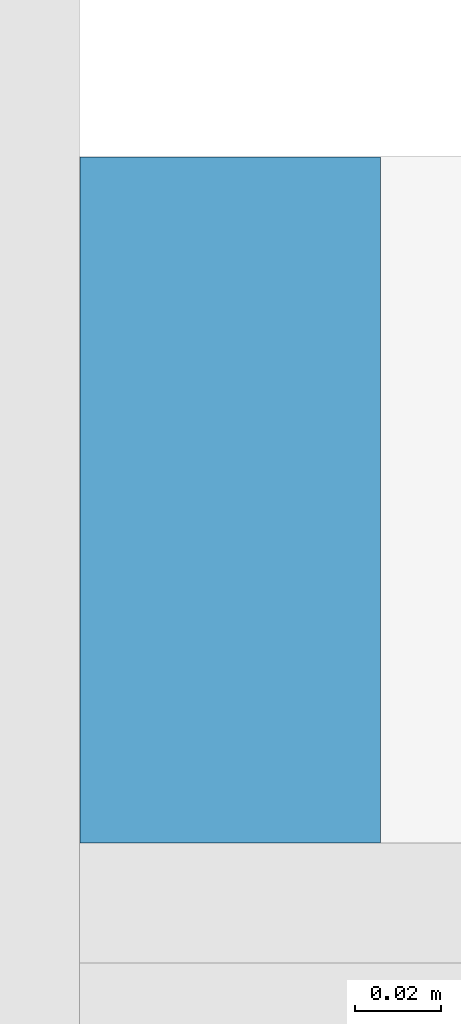
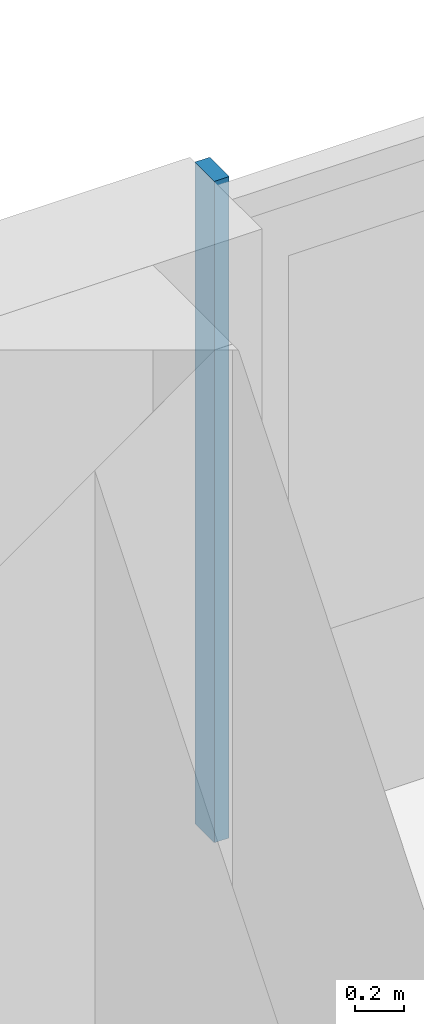
# One storey, part 11 of 25: 1 member, 1 element without a shape of its own.
"""IFC4 building model written with IfcOpenShell, lengths in metres."""

from ifc_helpers import new_model, si_unit, direction, frame, origin, origin_2d, place, context, subcontext, project, spatial, rectangle, extrude, material, material_profile, profile_set, type_object, element, aggregate, save


model = new_model("IFC4")

# Units and contexts
model_context = context("Model", 3, precision=1e-05, world=origin(), true_north=direction((0.0, 1.0)))
body_context = subcontext(model_context, "Body", "Model", "MODEL_VIEW")
ifc_project = project(units=[si_unit("LENGTHUNIT", "METRE"), si_unit("AREAUNIT", "SQUARE_METRE"), si_unit("VOLUMEUNIT", "CUBIC_METRE"), si_unit("PLANEANGLEUNIT", "RADIAN"), si_unit("MASSUNIT", "GRAM", prefix="KILO")], contexts=[model_context])

# Site, building, storey
site_placement = place(None, origin())
site = spatial("IfcSite", under=ifc_project, at=site_placement, CompositionType="ELEMENT")
building_placement = place(site_placement, origin())
building = spatial("IfcBuilding", under=site, at=building_placement, Name="Saffron Gate Tower", CompositionType="ELEMENT")
storey_placement = place(building_placement, frame((0.0, 0.0, 248.699951171875)))
storey = spatial("IfcBuildingStorey", under=building, at=storey_placement, Name="L61", CompositionType="ELEMENT", Elevation=248.699951171875)

# Curtain wall, member
ifc_material = material(Name="Aluminium, bronze anodised", Category="aluminium")
curtain_wall_type = type_object("IfcCurtainWallType", Name="CWS3 curtain wall rear facade", PredefinedType="NOTDEFINED", material=ifc_material)
curtain_wall_placement = place(storey_placement, origin())
curtain_wall = element("IfcCurtainWall", 1, at=curtain_wall_placement, inside=storey, type_object=curtain_wall_type, Name="CWS3 run 7", PredefinedType="NOTDEFINED")
ifc_material_profile = material_profile(ifc_material, rectangle(XDim=0.159912109375, YDim=0.070068359375, at=origin_2d()))
ifc_profile_set = profile_set([ifc_material_profile], Name="Aluminium, bronze anodised")
member_type = type_object("IfcMemberType", Name="CWS3 mullion 70x160", PredefinedType="MULLION", material=ifc_profile_set)
member_placement = place(storey_placement, frame((108.60009765625, 75.52001953125, 0.0), z_axis=(0.0, 0.0, 1.0), x_axis=(0.0, -1.0, 0.0)))
member = element("IfcMember", 2, at=member_placement, type_object=member_type, Name="CWS3 mullion 3", PredefinedType="MULLION", context=body_context, shape_type="SweptSolid", body=[
    extrude(rectangle(XDim=0.159912109375, YDim=0.070068359375, at=origin_2d()), origin(), (0.0, 0.0, 1.0), 3.300048828125),
])
aggregate(curtain_wall, [member])

save(model, "model.ifc")
